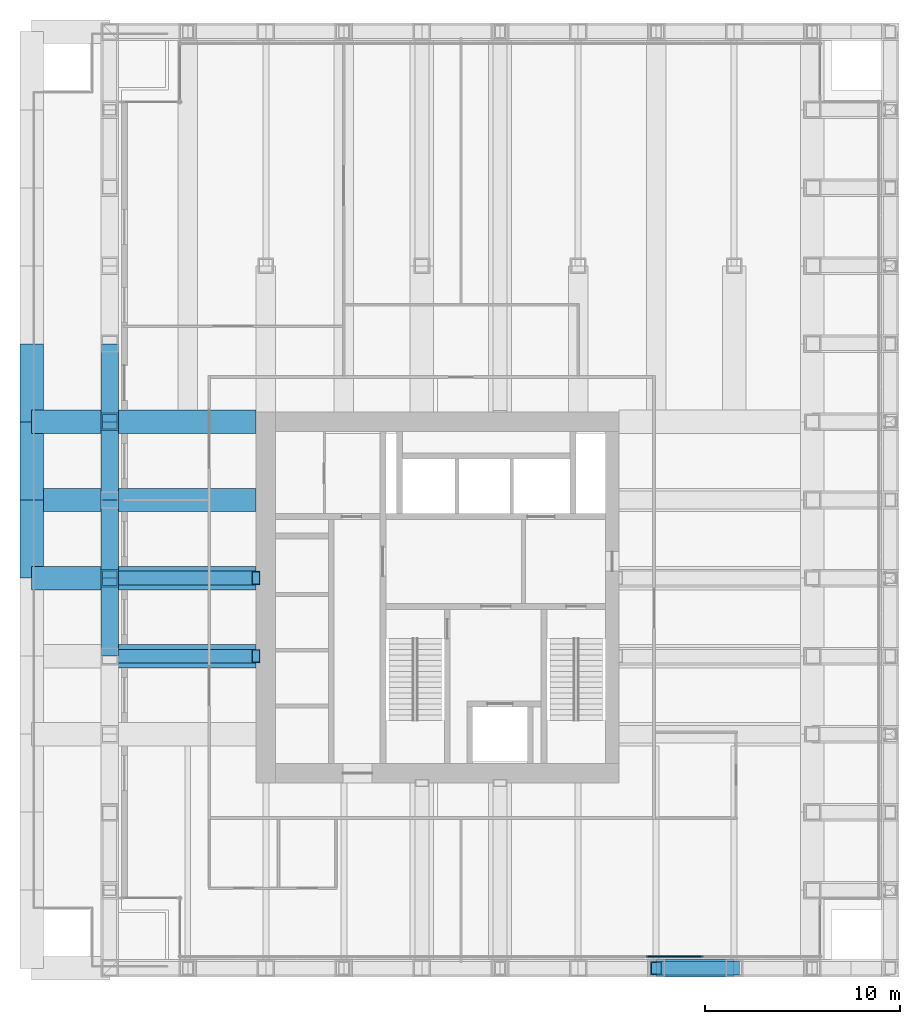
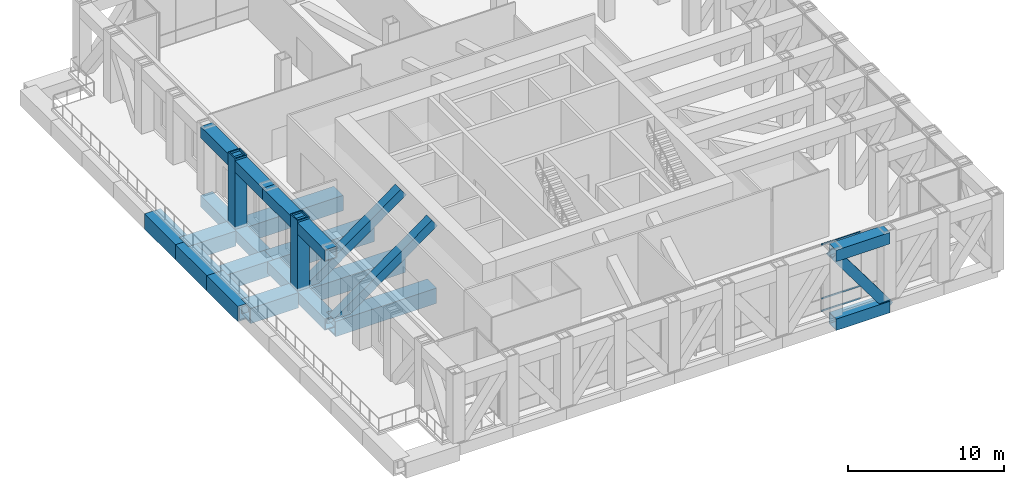
# One storey, part 3 of 12: 18 beams, 8 members, 1 element without a shape of its own.
"""IFC4 building model written with IfcOpenShell, lengths in metres."""

from ifc_helpers import new_model, si_unit, direction, frame, origin, origin_2d, place, context, subcontext, project, spatial, rectangle, hollow_rectangle, extrude, material, material_profile, profile_set, type_object, element, aggregate, save


model = new_model("IFC4")

# Units and contexts
model_context = context("Model", 3, precision=1e-05, world=origin(), true_north=direction((0.0, 1.0)))
body_context = subcontext(model_context, "Body", "Model", "MODEL_VIEW")
ifc_project = project(units=[si_unit("LENGTHUNIT", "METRE"), si_unit("AREAUNIT", "SQUARE_METRE"), si_unit("VOLUMEUNIT", "CUBIC_METRE"), si_unit("PLANEANGLEUNIT", "RADIAN"), si_unit("MASSUNIT", "GRAM", prefix="KILO")], contexts=[model_context])

# Site, building, storey
site_placement = place(None, origin())
site = spatial("IfcSite", under=ifc_project, at=site_placement, CompositionType="ELEMENT")
building_placement = place(site_placement, origin())
building = spatial("IfcBuilding", under=site, at=building_placement, Name="Rimbunsela Tower", CompositionType="ELEMENT")
storey_placement = place(building_placement, frame((0.0, 0.0, 203.800048828125)))
storey = spatial("IfcBuildingStorey", under=building, at=storey_placement, Name="L49", CompositionType="ELEMENT", Elevation=203.800048828125)

# Beams
ifc_material_1 = material(Name="Steel BJ 55 (fy 410 MPa)", Category="steel")
ifc_material_profile_1 = material_profile(ifc_material_1, hollow_rectangle(XDim=1.199951171875, YDim=1.199951171875, WallThickness=0.10009765625, at=origin_2d()), Name="BOX 1200x1200x100")
ifc_profile_set_1 = profile_set([ifc_material_profile_1], Name="Steel BJ 55 (fy 410 MPa)")
beam_type_1 = type_object("IfcBeamType", Name="Beam BOX 1200x1200x100", PredefinedType="BEAM", material=ifc_profile_set_1)
beam_1_placement = place(storey_placement, frame((10.0, 24.0, -0.75), z_axis=(1.0, 0.0, 0.0), x_axis=(0.0, 1.0, 0.0)))
element("IfcBeam", 1, at=beam_1_placement, inside=storey, type_object=beam_type_1, Name="Beam B5 L49", PredefinedType="BEAM", context=body_context, shape_type="SweptSolid", body=[
    extrude(hollow_rectangle(XDim=1.199951171875, YDim=1.199951171875, WallThickness=0.10009765625, at=origin_2d()), origin(), (0.0, 0.0, 1.0), 7.5),
])
beam_2_placement = place(storey_placement, frame((10.449951171875, 28.0, -0.75), z_axis=(1.0, 0.0, 0.0), x_axis=(0.0, 1.0, 0.0)))
element("IfcBeam", 2, at=beam_2_placement, inside=storey, type_object=beam_type_1, Name="Beam B5 L49", PredefinedType="BEAM", context=body_context, shape_type="SweptSolid", body=[
    extrude(hollow_rectangle(XDim=1.199951171875, YDim=1.199951171875, WallThickness=0.10009765625, at=origin_2d()), origin(), (0.0, 0.0, 1.0), 7.050048828125),
])
beam_3_placement = place(storey_placement, frame((10.0, 32.0, -0.75), z_axis=(1.0, 0.0, 0.0), x_axis=(0.0, 1.0, 0.0)))
element("IfcBeam", 3, at=beam_3_placement, inside=storey, type_object=beam_type_1, Name="Beam B5 L49", PredefinedType="BEAM", context=body_context, shape_type="SweptSolid", body=[
    extrude(hollow_rectangle(XDim=1.199951171875, YDim=1.199951171875, WallThickness=0.10009765625, at=origin_2d()), origin(), (0.0, 0.0, 1.0), 7.5),
])
beam_4_placement = place(storey_placement, frame((10.449951171875, 36.0, -0.75), z_axis=(1.0, 0.0, 0.0), x_axis=(0.0, 1.0, 0.0)))
element("IfcBeam", 4, at=beam_4_placement, inside=storey, type_object=beam_type_1, Name="Beam B5 L49", PredefinedType="BEAM", context=body_context, shape_type="SweptSolid", body=[
    extrude(hollow_rectangle(XDim=1.199951171875, YDim=1.199951171875, WallThickness=0.10009765625, at=origin_2d()), origin(), (0.0, 0.0, 1.0), 7.050048828125),
])
ifc_material_2 = material(Name="Steel BJ 55 (fy 410 MPa)", Category="steel")
ifc_material_profile_2 = material_profile(ifc_material_2, hollow_rectangle(XDim=1.199951171875, YDim=1.199951171875, WallThickness=0.125, at=origin_2d()), Name="BOX 1200x1200x125")
ifc_profile_set_2 = profile_set([ifc_material_profile_2], Name="Steel BJ 55 (fy 410 MPa)")
beam_type_2 = type_object("IfcBeamType", Name="Beam BOX 1200x1200x125", PredefinedType="BEAM", material=ifc_profile_set_2)
beam_5_placement = place(storey_placement, frame((6.0, 28.0, -0.75), z_axis=(0.0, 1.0, 0.0), x_axis=(-1.0, 0.0, 0.0)))
element("IfcBeam", 5, at=beam_5_placement, inside=storey, type_object=beam_type_2, Name="Beam B4 L49", PredefinedType="BEAM", context=body_context, shape_type="SweptSolid", body=[
    extrude(hollow_rectangle(XDim=1.199951171875, YDim=1.199951171875, WallThickness=0.125, at=origin_2d()), origin(), (0.0, 0.0, 1.0), 4.0),
])
beam_6_placement = place(storey_placement, frame((6.0, 28.0, -0.75), z_axis=(1.0, 0.0, 0.0), x_axis=(0.0, 1.0, 0.0)))
element("IfcBeam", 6, at=beam_6_placement, inside=storey, type_object=beam_type_2, Name="Beam B4 L49", PredefinedType="BEAM", context=body_context, shape_type="SweptSolid", body=[
    extrude(hollow_rectangle(XDim=1.199951171875, YDim=1.199951171875, WallThickness=0.125, at=origin_2d()), origin(), (0.0, 0.0, 1.0), 3.550048828125),
])
for number, where, z_axis, x_axis, name in (
    (7, (6.0, 32.0, -0.75), (0.0, 1.0, 0.0), (-1.0, 0.0, 0.0), "Beam B4 L49"),
    (8, (6.0, 32.0, -0.75), (1.0, 0.0, 0.0), (0.0, 1.0, 0.0), "Beam B4 L49"),
    (9, (6.0, 36.0, -0.75), (0.0, 1.0, 0.0), (-1.0, 0.0, 0.0), "Beam B4 L49"),
):
    element("IfcBeam", number, at=place(storey_placement, frame(where, z_axis=z_axis, x_axis=x_axis)), inside=storey, type_object=beam_type_2, Name=name, PredefinedType="BEAM", context=body_context, shape_type="SweptSolid", body=[
        extrude(hollow_rectangle(XDim=1.199951171875, YDim=1.199951171875, WallThickness=0.125, at=origin_2d()), origin(), (0.0, 0.0, 1.0), 4.0),
    ])
beam_7_placement = place(storey_placement, frame((6.0, 36.0, -0.75), z_axis=(1.0, 0.0, 0.0), x_axis=(0.0, 1.0, 0.0)))
element("IfcBeam", 10, at=beam_7_placement, inside=storey, type_object=beam_type_2, Name="Beam B4 L49", PredefinedType="BEAM", context=body_context, shape_type="SweptSolid", body=[
    extrude(hollow_rectangle(XDim=1.199951171875, YDim=1.199951171875, WallThickness=0.125, at=origin_2d()), origin(), (0.0, 0.0, 1.0), 3.550048828125),
])

# Curtain wall, members
ifc_material_3 = material(Name="Aluminium curtain wall", Category="aluminium")
curtain_wall_type = type_object("IfcCurtainWallType", Name="Plant floor louvre wall", PredefinedType="USERDEFINED", material=ifc_material_3)
curtain_wall_placement = place(storey_placement, origin())
curtain_wall = element("IfcCurtainWall", 11, at=curtain_wall_placement, inside=storey, type_object=curtain_wall_type, Name="Plant floor louvre wall L49", ObjectType="PLANT FLOOR LOUVRE WALL", PredefinedType="USERDEFINED")
ifc_material_4 = material(Name="Aluminium transom", Category="aluminium")
ifc_material_profile_3 = material_profile(ifc_material_4, rectangle(XDim=0.06005859375, YDim=0.1201171875, at=origin_2d()), Name="Transom 60x120")
ifc_profile_set_3 = profile_set([ifc_material_profile_3], Name="Aluminium transom")
member_type_1 = type_object("IfcMemberType", Name="Curtain wall transom 60x120", PredefinedType="USERDEFINED", material=ifc_profile_set_3)
member_1_placement = place(storey_placement, frame((37.484619140625, 8.60009765625, 0.030029296875), z_axis=(1.0, 0.0, 0.0), x_axis=(0.0, 1.0, 0.0)))
member_1 = element("IfcMember", 12, at=member_1_placement, type_object=member_type_1, Name="CW3 transom 9.1", ObjectType="TRANSOM", PredefinedType="USERDEFINED", context=body_context, shape_type="SweptSolid", body=[
    extrude(rectangle(XDim=0.06005859375, YDim=0.1201171875, at=origin_2d()), origin(), (0.0, 0.0, 1.0), 2.921630859375),
])
member_2_placement = place(storey_placement, frame((37.484619140625, 8.60009765625, 1.0), z_axis=(1.0, 0.0, 0.0), x_axis=(0.0, 1.0, 0.0)))
member_2 = element("IfcMember", 13, at=member_2_placement, type_object=member_type_1, Name="CW3 transom 9.2", ObjectType="TRANSOM", PredefinedType="USERDEFINED", context=body_context, shape_type="SweptSolid", body=[
    extrude(rectangle(XDim=0.06005859375, YDim=0.1201171875, at=origin_2d()), origin(), (0.0, 0.0, 1.0), 2.921630859375),
])
member_3_placement = place(storey_placement, frame((37.484619140625, 8.60009765625, 5.219970703125), z_axis=(1.0, 0.0, 0.0), x_axis=(0.0, 1.0, 0.0)))
member_3 = element("IfcMember", 14, at=member_3_placement, type_object=member_type_1, Name="CW3 transom 9.3", ObjectType="TRANSOM", PredefinedType="USERDEFINED", context=body_context, shape_type="SweptSolid", body=[
    extrude(rectangle(XDim=0.06005859375, YDim=0.1201171875, at=origin_2d()), origin(), (0.0, 0.0, 1.0), 2.921630859375),
])
aggregate(curtain_wall, [member_1, member_2, member_3])

# Members
ifc_material_5 = material(Name="Steel BJ 55 (fy 410 MPa)", Category="steel")
ifc_material_profile_4 = material_profile(ifc_material_5, hollow_rectangle(XDim=0.699951171875, YDim=0.699951171875, WallThickness=0.050048828125, at=origin_2d()), Name="BOX 700x700x50")
ifc_profile_set_4 = profile_set([ifc_material_profile_4], Name="Steel BJ 55 (fy 410 MPa)")
member_type_2 = type_object("IfcMemberType", Name="Outrigger brace BOX 700x700x50", PredefinedType="BRACE", material=ifc_profile_set_4)
for number, where, z_axis, x_axis, name in (
    (15, (10.0, 28.0, -0.60009765625), (0.811526825515, 0.0, 0.584315164504), (0.0, 1.0, 0.0), "Outrigger brace OB2 W L49"),
    (16, (10.0, 24.0, -0.60009765625), (0.811526825515, 0.0, 0.584315164504), (0.0, 1.0, 0.0), "Outrigger brace OB2 W L49"),
):
    element("IfcMember", number, at=place(storey_placement, frame(where, z_axis=z_axis, x_axis=x_axis)), inside=storey, type_object=member_type_2, Name=name, PredefinedType="BRACE", context=body_context, shape_type="SweptSolid", body=[
        extrude(hollow_rectangle(XDim=0.699951171875, YDim=0.699951171875, WallThickness=0.050048828125, at=origin_2d()), origin(), (0.0, 0.0, 1.0), 9.241943359375),
    ])

# Beams
ifc_material_6 = material(Name="Steel BJ 55 (fy 410 MPa)", Category="steel")
ifc_material_profile_5 = material_profile(ifc_material_6, hollow_rectangle(XDim=0.89990234375, YDim=0.89990234375, WallThickness=0.06005859375, at=origin_2d()), Name="BOX 900x900x60")
ifc_profile_set_5 = profile_set([ifc_material_profile_5], Name="Steel BJ 55 (fy 410 MPa)")
beam_type_3 = type_object("IfcBeamType", Name="Truss chord BOX 900x900x60", PredefinedType="USERDEFINED", material=ifc_profile_set_5)
for number, where, z_axis, x_axis, name in (
    (17, (38.0, 8.0, 4.800048828125), (1.0, 0.0, 0.0), (0.0, 1.0, 0.0), "Truss top chord TC4 S face L49"),
    (18, (10.0, 24.0, 4.800048828125), (0.0, 1.0, 0.0), (-1.0, 0.0, 0.0), "Truss top chord TC4 W face L49"),
    (19, (10.0, 28.0, 4.800048828125), (0.0, 1.0, 0.0), (-1.0, 0.0, 0.0), "Truss top chord TC4 W face L49"),
    (20, (10.0, 32.0, 4.800048828125), (0.0, 1.0, 0.0), (-1.0, 0.0, 0.0), "Truss top chord TC4 W face L49"),
    (21, (10.0, 36.0, 4.800048828125), (0.0, 1.0, 0.0), (-1.0, 0.0, 0.0), "Truss top chord TC4 W face L49"),
    (22, (38.0, 8.0, -0.60009765625), (1.0, 0.0, 0.0), (0.0, 1.0, 0.0), "Truss bottom chord TC4 S face L49"),
):
    element("IfcBeam", number, at=place(storey_placement, frame(where, z_axis=z_axis, x_axis=x_axis)), inside=storey, type_object=beam_type_3, Name=name, ObjectType="TRUSS CHORD", PredefinedType="USERDEFINED", context=body_context, shape_type="SweptSolid", body=[
        extrude(hollow_rectangle(XDim=0.89990234375, YDim=0.89990234375, WallThickness=0.06005859375, at=origin_2d()), origin(), (0.0, 0.0, 1.0), 4.0),
    ])
for number, where, z_axis, x_axis, name in (
    (23, (10.0, 24.0, -0.60009765625), (0.0, 1.0, 0.0), (-1.0, 0.0, 0.0), "Truss bottom chord TC4 W face L49"),
    (24, (10.0, 32.0, -0.60009765625), (0.0, 1.0, 0.0), (-1.0, 0.0, 0.0), "Truss bottom chord TC4 W face L49"),
):
    element("IfcBeam", number, at=place(storey_placement, frame(where, z_axis=z_axis, x_axis=x_axis)), inside=storey, type_object=beam_type_3, Name=name, ObjectType="TRUSS CHORD", PredefinedType="USERDEFINED", context=body_context, shape_type="SweptSolid", body=[
        extrude(hollow_rectangle(XDim=0.89990234375, YDim=0.89990234375, WallThickness=0.06005859375, at=origin_2d()), origin(), (0.0, 0.0, 1.0), 8.0),
    ])

# Members
ifc_material_7 = material(Name="Steel BJ 55 (fy 410 MPa)", Category="steel")
ifc_material_profile_6 = material_profile(ifc_material_7, hollow_rectangle(XDim=0.699951171875, YDim=0.699951171875, WallThickness=0.050048828125, at=origin_2d()), Name="BOX 700x700x50")
ifc_profile_set_6 = profile_set([ifc_material_profile_6], Name="Steel BJ 55 (fy 410 MPa)")
member_type_3 = type_object("IfcMemberType", Name="Truss diagonal BOX 700x700x50", PredefinedType="BRACE", material=ifc_profile_set_6)
member_4_placement = place(storey_placement, frame((38.0, 8.0, 4.800048828125), z_axis=(0.595217124844, 0.0, -0.803564916041), x_axis=(0.0, 1.0, 0.0)))
element("IfcMember", 25, at=member_4_placement, inside=storey, type_object=member_type_3, Name="Truss diagonal TD4 S face L49", PredefinedType="BRACE", context=body_context, shape_type="SweptSolid", body=[
    extrude(hollow_rectangle(XDim=0.699951171875, YDim=0.699951171875, WallThickness=0.050048828125, at=origin_2d()), origin(), (0.0, 0.0, 1.0), 6.72021484375),
])
ifc_material_8 = material(Name="Steel BJ 55 (fy 410 MPa)", Category="steel")
ifc_material_profile_7 = material_profile(ifc_material_8, hollow_rectangle(XDim=0.89990234375, YDim=0.89990234375, WallThickness=0.080078125, at=origin_2d()), Name="BOX 900x900x80")
ifc_profile_set_7 = profile_set([ifc_material_profile_7], Name="Steel BJ 55 (fy 410 MPa)")
member_type_4 = type_object("IfcMemberType", Name="Truss post BOX 900x900x80", PredefinedType="POST", material=ifc_profile_set_7)
for number, where, z_axis, x_axis, name in (
    (26, (10.0, 28.0, -0.60009765625), (0.0, 0.0, 1.0), (1.0, 0.0, 0.0), "Truss post TP3 5/J L49"),
    (27, (10.0, 36.0, -0.60009765625), (0.0, 0.0, 1.0), (1.0, 0.0, 0.0), "Truss post TP3 5/L L49"),
):
    element("IfcMember", number, at=place(storey_placement, frame(where, z_axis=z_axis, x_axis=x_axis)), inside=storey, type_object=member_type_4, Name=name, PredefinedType="POST", context=body_context, shape_type="SweptSolid", body=[
        extrude(hollow_rectangle(XDim=0.89990234375, YDim=0.89990234375, WallThickness=0.080078125, at=origin_2d()), origin(), (0.0, 0.0, 1.0), 6.0),
    ])

save(model, "model.ifc")
